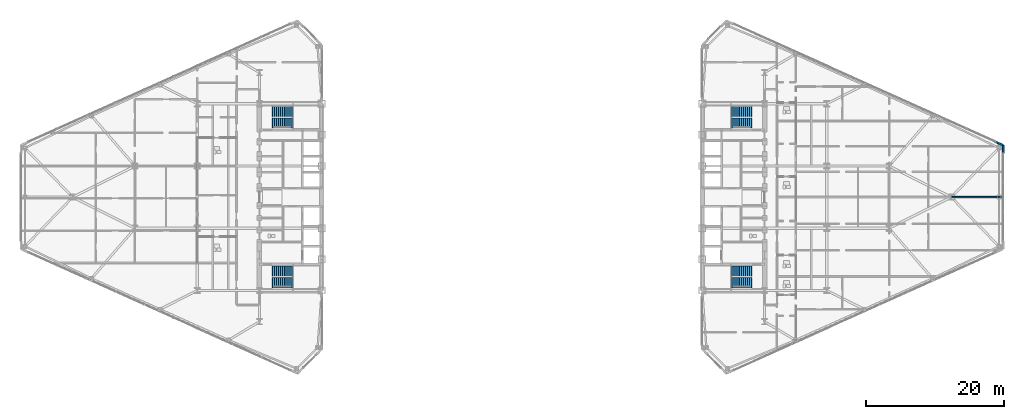
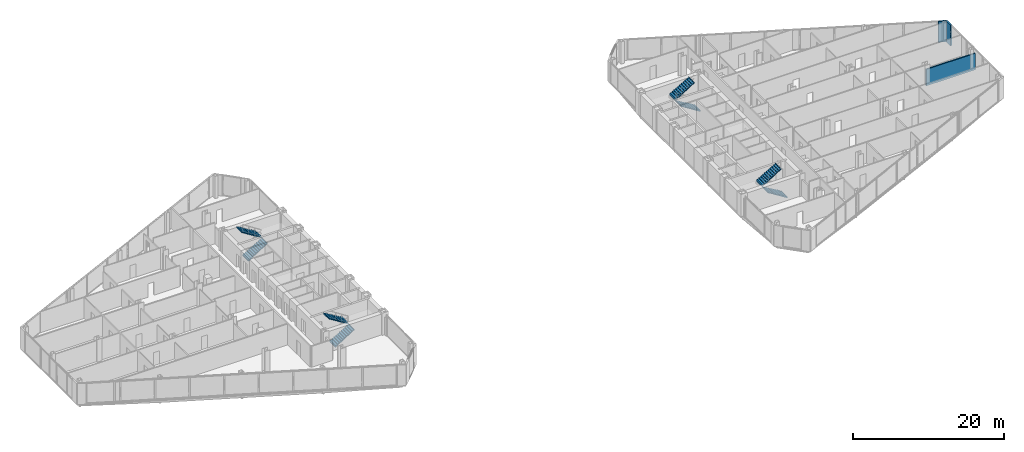
# One storey, part 25 of 27: 8 stair flights, 3 walls, 4 elements without a shape of their own.
"""IFC4 building model written with IfcOpenShell, lengths in metres."""

from ifc_helpers import new_model, si_unit, direction, frame, frame_2d, origin, place, context, subcontext, project, spatial, polyline, rectangle, outline, extrude, material, layer, layer_set, type_object, element, aggregate, save


model = new_model("IFC4")

# Units and contexts
model_context = context("Model", 3, precision=1e-05, world=origin(), true_north=direction((0.0, 1.0)))
body_context = subcontext(model_context, "Body", "Model", "MODEL_VIEW")
ifc_project = project(units=[si_unit("LENGTHUNIT", "METRE"), si_unit("AREAUNIT", "SQUARE_METRE"), si_unit("VOLUMEUNIT", "CUBIC_METRE"), si_unit("PLANEANGLEUNIT", "RADIAN"), si_unit("MASSUNIT", "GRAM", prefix="KILO")], contexts=[model_context])

# Site, building, storey
site_placement = place(None, origin())
site = spatial("IfcSite", under=ifc_project, at=site_placement, CompositionType="ELEMENT")
building_placement = place(site_placement, origin())
building = spatial("IfcBuilding", under=site, at=building_placement, Name="Seokmaru Belvedere", CompositionType="ELEMENT")
storey_placement = place(building_placement, frame((0.0, 0.0, 80.10009765625)))
storey = spatial("IfcBuildingStorey", under=building, at=storey_placement, Name="L21", CompositionType="ELEMENT", Elevation=80.10009765625)

# Walls
ifc_material_1 = material(Name="Fire-Rated Gypsum Shaftwall")
ifc_layer_1 = layer(ifc_material_1, 0.199951171875)
ifc_layer_set_1 = layer_set([ifc_layer_1], Name="Fire-Rated Gypsum Shaftwall")
wall_type_1 = type_object("IfcWallType", Name="Inter-Tenancy Fire Compartment Partition 200", PredefinedType="PARTITIONING", material=ifc_layer_set_1)
wall_placement = place(storey_placement, frame((63.47998046875, 0.0, 0.0), z_axis=(0.0, 0.0, 1.0), x_axis=(1.0, 0.0, 0.0)))
element("IfcWall", 1, at=wall_placement, inside=storey, type_object=wall_type_1, Name="L21 Interior Partition 016 Part 2", PredefinedType="PARTITIONING", context=body_context, shape_type="SweptSolid", body=[
    extrude(rectangle(XDim=7.52490234375, YDim=0.199951171875, at=frame_2d((3.762451171875, 0.0))), origin(), (0.0, 0.0, 1.0), 2.679931640625),
])
ifc_material_2 = material(Name="Anodised Bronze Aluminium", Category="aluminium")
ifc_layer_2 = layer(ifc_material_2, 0.239990234375)
ifc_layer_set_2 = layer_set([ifc_layer_2], Name="Anodised Bronze Aluminium")
wall_type_2 = type_object("IfcWallType", Name="Tower Corner Spandrel Closure Wall 240", PredefinedType="SOLIDWALL", material=ifc_layer_set_2)
for number, where, z_axis, x_axis, name in (
    (2, (71.0, 6.35009765625, 0.0), (0.0, 0.0, 1.0), (0.0, 1.0, 0.0), "L21 E Corner Closure Pier 2B"),
    (3, (70.990966796875, 7.504150390625, 0.0), (0.0, 0.0, 1.0), (-0.911929519623, 0.410346866979, 0.0), "L21 E Corner Closure Pier 3A"),
):
    element("IfcWall", number, at=place(storey_placement, frame(where, z_axis=z_axis, x_axis=x_axis)), inside=storey, type_object=wall_type_2, Name=name, PredefinedType="SOLIDWALL", context=body_context, shape_type="SweptSolid", body=[
        extrude(rectangle(XDim=1.139892578125, YDim=0.239990234375, at=frame_2d((0.56982421875, 0.0))), origin(), (0.0, 0.0, 1.0), 3.3798828125),
    ])

# Stair, stair flights
ifc_material_3 = material(Name="Concrete C40 (40 MPa)", Category="concrete")
stair_type = type_object("IfcStairType", Name="Typical Tower Core Dog-Leg Stair 3600", PredefinedType="TWO_STRAIGHT_RUN_STAIR", material=ifc_material_3)
stair_1_placement = place(storey_placement, origin())
stair_1 = element("IfcStair", 4, at=stair_1_placement, inside=storey, type_object=stair_type, Name="L21 Special Escape Stair ST-W1", PredefinedType="TWO_STRAIGHT_RUN_STAIR")
stair_flight_type = type_object("IfcStairFlightType", Name="Reinforced Concrete Stair Flight 1500", PredefinedType="STRAIGHT", material=ifc_material_3)
stair_flight_1_placement = place(storey_placement, frame((-34.60009765625, -12.35009765625, 0.0), z_axis=(0.0, 0.0, 1.0), x_axis=(1.0, 0.0, 0.0)))
stair_flight_1 = element("IfcStairFlight", 5, at=stair_flight_1_placement, type_object=stair_flight_type, Name="ST-W1 flight 1", NumberOfRisers=11, NumberOfTreads=10, PredefinedType="STRAIGHT", RiserHeight=0.163636364, TreadLength=0.28, context=body_context, shape_type="SweptSolid", body=[
    extrude(outline(polyline([(-0.080078125, 0.0), (0.0, 0.16357421875), (0.280029296875, 0.16357421875), (0.280029296875, 0.327392578125), (0.56005859375, 0.327392578125), (0.56005859375, 0.490966796875), (0.840087890625, 0.490966796875), (0.840087890625, 0.654541015625), (1.1201171875, 0.654541015625), (1.1201171875, 0.818115234375), (1.39990234375, 0.818115234375), (1.39990234375, 0.98193359375), (1.679931640625, 0.98193359375), (1.679931640625, 1.1455078125), (1.9599609375, 1.1455078125), (1.9599609375, 1.30908203125), (2.239990234375, 1.30908203125), (2.239990234375, 1.47265625), (2.52001953125, 1.47265625), (2.52001953125, 1.636474609375), (2.800048828125, 1.636474609375), (2.800048828125, 1.800048828125), (2.8798828125, 1.800048828125), (2.8798828125, 1.610107421875), (2.800048828125, 1.610107421875), (0.0, -0.159912109375), (-0.080078125, -0.159912109375), (-0.080078125, 0.0)])), frame((0.0, 0.75, 0.0), z_axis=(0.0, -1.0, 0.0), x_axis=(1.0, 0.0, 0.0)), (0.0, 0.0, 1.0), 1.5),
])
stair_flight_2_placement = place(storey_placement, frame((-31.800048828125, -10.7099609375, 1.7998046875), z_axis=(0.0, 0.0, 1.0), x_axis=(-1.0, 0.0, 0.0)))
stair_flight_2 = element("IfcStairFlight", 6, at=stair_flight_2_placement, type_object=stair_flight_type, Name="ST-W1 flight 2", NumberOfRisers=11, NumberOfTreads=10, PredefinedType="STRAIGHT", RiserHeight=0.163636364, TreadLength=0.28, context=body_context, shape_type="SweptSolid", body=[
    extrude(outline(polyline([(-0.080078125, 0.0), (0.0, 0.16357421875), (0.280029296875, 0.16357421875), (0.280029296875, 0.327392578125), (0.56005859375, 0.327392578125), (0.56005859375, 0.490966796875), (0.840087890625, 0.490966796875), (0.840087890625, 0.654541015625), (1.1201171875, 0.654541015625), (1.1201171875, 0.818115234375), (1.39990234375, 0.818115234375), (1.39990234375, 0.98193359375), (1.679931640625, 0.98193359375), (1.679931640625, 1.1455078125), (1.9599609375, 1.1455078125), (1.9599609375, 1.30908203125), (2.239990234375, 1.30908203125), (2.239990234375, 1.47265625), (2.52001953125, 1.47265625), (2.52001953125, 1.636474609375), (2.800048828125, 1.636474609375), (2.800048828125, 1.800048828125), (2.8798828125, 1.800048828125), (2.8798828125, 1.610107421875), (2.800048828125, 1.610107421875), (0.0, -0.159912109375), (-0.080078125, -0.159912109375), (-0.080078125, 0.0)])), frame((0.0, 0.75, 0.0), z_axis=(0.0, -1.0, 0.0), x_axis=(1.0, 0.0, 0.0)), (0.0, 0.0, 1.0), 1.5),
])
aggregate(stair_1, [stair_flight_1, stair_flight_2])

stair_2_placement = place(storey_placement, origin())
stair_2 = element("IfcStair", 7, at=stair_2_placement, inside=storey, type_object=stair_type, Name="L21 Special Escape Stair ST-W2", PredefinedType="TWO_STRAIGHT_RUN_STAIR")
stair_flight_3_placement = place(storey_placement, frame((-34.60009765625, 10.7099609375, 0.0), z_axis=(0.0, 0.0, 1.0), x_axis=(1.0, 0.0, 0.0)))
stair_flight_3 = element("IfcStairFlight", 8, at=stair_flight_3_placement, type_object=stair_flight_type, Name="ST-W2 flight 1", NumberOfRisers=11, NumberOfTreads=10, PredefinedType="STRAIGHT", RiserHeight=0.163636364, TreadLength=0.28, context=body_context, shape_type="SweptSolid", body=[
    extrude(outline(polyline([(-0.080078125, 0.0), (0.0, 0.16357421875), (0.280029296875, 0.16357421875), (0.280029296875, 0.327392578125), (0.56005859375, 0.327392578125), (0.56005859375, 0.490966796875), (0.840087890625, 0.490966796875), (0.840087890625, 0.654541015625), (1.1201171875, 0.654541015625), (1.1201171875, 0.818115234375), (1.39990234375, 0.818115234375), (1.39990234375, 0.98193359375), (1.679931640625, 0.98193359375), (1.679931640625, 1.1455078125), (1.9599609375, 1.1455078125), (1.9599609375, 1.30908203125), (2.239990234375, 1.30908203125), (2.239990234375, 1.47265625), (2.52001953125, 1.47265625), (2.52001953125, 1.636474609375), (2.800048828125, 1.636474609375), (2.800048828125, 1.800048828125), (2.8798828125, 1.800048828125), (2.8798828125, 1.610107421875), (2.800048828125, 1.610107421875), (0.0, -0.159912109375), (-0.080078125, -0.159912109375), (-0.080078125, 0.0)])), frame((0.0, 0.75, 0.0), z_axis=(0.0, -1.0, 0.0), x_axis=(1.0, 0.0, 0.0)), (0.0, 0.0, 1.0), 1.5),
])
stair_flight_4_placement = place(storey_placement, frame((-31.800048828125, 12.35009765625, 1.7998046875), z_axis=(0.0, 0.0, 1.0), x_axis=(-1.0, 0.0, 0.0)))
stair_flight_4 = element("IfcStairFlight", 9, at=stair_flight_4_placement, type_object=stair_flight_type, Name="ST-W2 flight 2", NumberOfRisers=11, NumberOfTreads=10, PredefinedType="STRAIGHT", RiserHeight=0.163636364, TreadLength=0.28, context=body_context, shape_type="SweptSolid", body=[
    extrude(outline(polyline([(-0.080078125, 0.0), (0.0, 0.16357421875), (0.280029296875, 0.16357421875), (0.280029296875, 0.327392578125), (0.56005859375, 0.327392578125), (0.56005859375, 0.490966796875), (0.840087890625, 0.490966796875), (0.840087890625, 0.654541015625), (1.1201171875, 0.654541015625), (1.1201171875, 0.818115234375), (1.39990234375, 0.818115234375), (1.39990234375, 0.98193359375), (1.679931640625, 0.98193359375), (1.679931640625, 1.1455078125), (1.9599609375, 1.1455078125), (1.9599609375, 1.30908203125), (2.239990234375, 1.30908203125), (2.239990234375, 1.47265625), (2.52001953125, 1.47265625), (2.52001953125, 1.636474609375), (2.800048828125, 1.636474609375), (2.800048828125, 1.800048828125), (2.8798828125, 1.800048828125), (2.8798828125, 1.610107421875), (2.800048828125, 1.610107421875), (0.0, -0.159912109375), (-0.080078125, -0.159912109375), (-0.080078125, 0.0)])), frame((0.0, 0.75, 0.0), z_axis=(0.0, -1.0, 0.0), x_axis=(1.0, 0.0, 0.0)), (0.0, 0.0, 1.0), 1.5),
])
aggregate(stair_2, [stair_flight_3, stair_flight_4])

stair_3_placement = place(storey_placement, origin())
stair_3 = element("IfcStair", 10, at=stair_3_placement, inside=storey, type_object=stair_type, Name="L21 Special Escape Stair ST-E1", PredefinedType="TWO_STRAIGHT_RUN_STAIR")
stair_flight_5_placement = place(storey_placement, frame((34.60009765625, -12.35009765625, 0.0), z_axis=(0.0, 0.0, 1.0), x_axis=(-1.0, 0.0, 0.0)))
stair_flight_5 = element("IfcStairFlight", 11, at=stair_flight_5_placement, type_object=stair_flight_type, Name="ST-E1 flight 1", NumberOfRisers=11, NumberOfTreads=10, PredefinedType="STRAIGHT", RiserHeight=0.163636364, TreadLength=0.28, context=body_context, shape_type="SweptSolid", body=[
    extrude(outline(polyline([(-0.080078125, 0.0), (0.0, 0.16357421875), (0.280029296875, 0.16357421875), (0.280029296875, 0.327392578125), (0.56005859375, 0.327392578125), (0.56005859375, 0.490966796875), (0.840087890625, 0.490966796875), (0.840087890625, 0.654541015625), (1.1201171875, 0.654541015625), (1.1201171875, 0.818115234375), (1.39990234375, 0.818115234375), (1.39990234375, 0.98193359375), (1.679931640625, 0.98193359375), (1.679931640625, 1.1455078125), (1.9599609375, 1.1455078125), (1.9599609375, 1.30908203125), (2.239990234375, 1.30908203125), (2.239990234375, 1.47265625), (2.52001953125, 1.47265625), (2.52001953125, 1.636474609375), (2.800048828125, 1.636474609375), (2.800048828125, 1.800048828125), (2.8798828125, 1.800048828125), (2.8798828125, 1.610107421875), (2.800048828125, 1.610107421875), (0.0, -0.159912109375), (-0.080078125, -0.159912109375), (-0.080078125, 0.0)])), frame((0.0, 0.75, 0.0), z_axis=(0.0, -1.0, 0.0), x_axis=(1.0, 0.0, 0.0)), (0.0, 0.0, 1.0), 1.5),
])
stair_flight_6_placement = place(storey_placement, frame((31.800048828125, -10.7099609375, 1.7998046875), z_axis=(0.0, 0.0, 1.0), x_axis=(1.0, 0.0, 0.0)))
stair_flight_6 = element("IfcStairFlight", 12, at=stair_flight_6_placement, type_object=stair_flight_type, Name="ST-E1 flight 2", NumberOfRisers=11, NumberOfTreads=10, PredefinedType="STRAIGHT", RiserHeight=0.163636364, TreadLength=0.28, context=body_context, shape_type="SweptSolid", body=[
    extrude(outline(polyline([(-0.080078125, 0.0), (0.0, 0.16357421875), (0.280029296875, 0.16357421875), (0.280029296875, 0.327392578125), (0.56005859375, 0.327392578125), (0.56005859375, 0.490966796875), (0.840087890625, 0.490966796875), (0.840087890625, 0.654541015625), (1.1201171875, 0.654541015625), (1.1201171875, 0.818115234375), (1.39990234375, 0.818115234375), (1.39990234375, 0.98193359375), (1.679931640625, 0.98193359375), (1.679931640625, 1.1455078125), (1.9599609375, 1.1455078125), (1.9599609375, 1.30908203125), (2.239990234375, 1.30908203125), (2.239990234375, 1.47265625), (2.52001953125, 1.47265625), (2.52001953125, 1.636474609375), (2.800048828125, 1.636474609375), (2.800048828125, 1.800048828125), (2.8798828125, 1.800048828125), (2.8798828125, 1.610107421875), (2.800048828125, 1.610107421875), (0.0, -0.159912109375), (-0.080078125, -0.159912109375), (-0.080078125, 0.0)])), frame((0.0, 0.75, 0.0), z_axis=(0.0, -1.0, 0.0), x_axis=(1.0, 0.0, 0.0)), (0.0, 0.0, 1.0), 1.5),
])
aggregate(stair_3, [stair_flight_5, stair_flight_6])

stair_4_placement = place(storey_placement, origin())
stair_4 = element("IfcStair", 13, at=stair_4_placement, inside=storey, type_object=stair_type, Name="L21 Special Escape Stair ST-E2", PredefinedType="TWO_STRAIGHT_RUN_STAIR")
stair_flight_7_placement = place(storey_placement, frame((34.60009765625, 10.7099609375, 0.0), z_axis=(0.0, 0.0, 1.0), x_axis=(-1.0, 0.0, 0.0)))
stair_flight_7 = element("IfcStairFlight", 14, at=stair_flight_7_placement, type_object=stair_flight_type, Name="ST-E2 flight 1", NumberOfRisers=11, NumberOfTreads=10, PredefinedType="STRAIGHT", RiserHeight=0.163636364, TreadLength=0.28, context=body_context, shape_type="SweptSolid", body=[
    extrude(outline(polyline([(-0.080078125, 0.0), (0.0, 0.16357421875), (0.280029296875, 0.16357421875), (0.280029296875, 0.327392578125), (0.56005859375, 0.327392578125), (0.56005859375, 0.490966796875), (0.840087890625, 0.490966796875), (0.840087890625, 0.654541015625), (1.1201171875, 0.654541015625), (1.1201171875, 0.818115234375), (1.39990234375, 0.818115234375), (1.39990234375, 0.98193359375), (1.679931640625, 0.98193359375), (1.679931640625, 1.1455078125), (1.9599609375, 1.1455078125), (1.9599609375, 1.30908203125), (2.239990234375, 1.30908203125), (2.239990234375, 1.47265625), (2.52001953125, 1.47265625), (2.52001953125, 1.636474609375), (2.800048828125, 1.636474609375), (2.800048828125, 1.800048828125), (2.8798828125, 1.800048828125), (2.8798828125, 1.610107421875), (2.800048828125, 1.610107421875), (0.0, -0.159912109375), (-0.080078125, -0.159912109375), (-0.080078125, 0.0)])), frame((0.0, 0.75, 0.0), z_axis=(0.0, -1.0, 0.0), x_axis=(1.0, 0.0, 0.0)), (0.0, 0.0, 1.0), 1.5),
])
stair_flight_8_placement = place(storey_placement, frame((31.800048828125, 12.35009765625, 1.7998046875), z_axis=(0.0, 0.0, 1.0), x_axis=(1.0, 0.0, 0.0)))
stair_flight_8 = element("IfcStairFlight", 15, at=stair_flight_8_placement, type_object=stair_flight_type, Name="ST-E2 flight 2", NumberOfRisers=11, NumberOfTreads=10, PredefinedType="STRAIGHT", RiserHeight=0.163636364, TreadLength=0.28, context=body_context, shape_type="SweptSolid", body=[
    extrude(outline(polyline([(-0.080078125, 0.0), (0.0, 0.16357421875), (0.280029296875, 0.16357421875), (0.280029296875, 0.327392578125), (0.56005859375, 0.327392578125), (0.56005859375, 0.490966796875), (0.840087890625, 0.490966796875), (0.840087890625, 0.654541015625), (1.1201171875, 0.654541015625), (1.1201171875, 0.818115234375), (1.39990234375, 0.818115234375), (1.39990234375, 0.98193359375), (1.679931640625, 0.98193359375), (1.679931640625, 1.1455078125), (1.9599609375, 1.1455078125), (1.9599609375, 1.30908203125), (2.239990234375, 1.30908203125), (2.239990234375, 1.47265625), (2.52001953125, 1.47265625), (2.52001953125, 1.636474609375), (2.800048828125, 1.636474609375), (2.800048828125, 1.800048828125), (2.8798828125, 1.800048828125), (2.8798828125, 1.610107421875), (2.800048828125, 1.610107421875), (0.0, -0.159912109375), (-0.080078125, -0.159912109375), (-0.080078125, 0.0)])), frame((0.0, 0.75, 0.0), z_axis=(0.0, -1.0, 0.0), x_axis=(1.0, 0.0, 0.0)), (0.0, 0.0, 1.0), 1.5),
])
aggregate(stair_4, [stair_flight_7, stair_flight_8])

save(model, "model.ifc")
